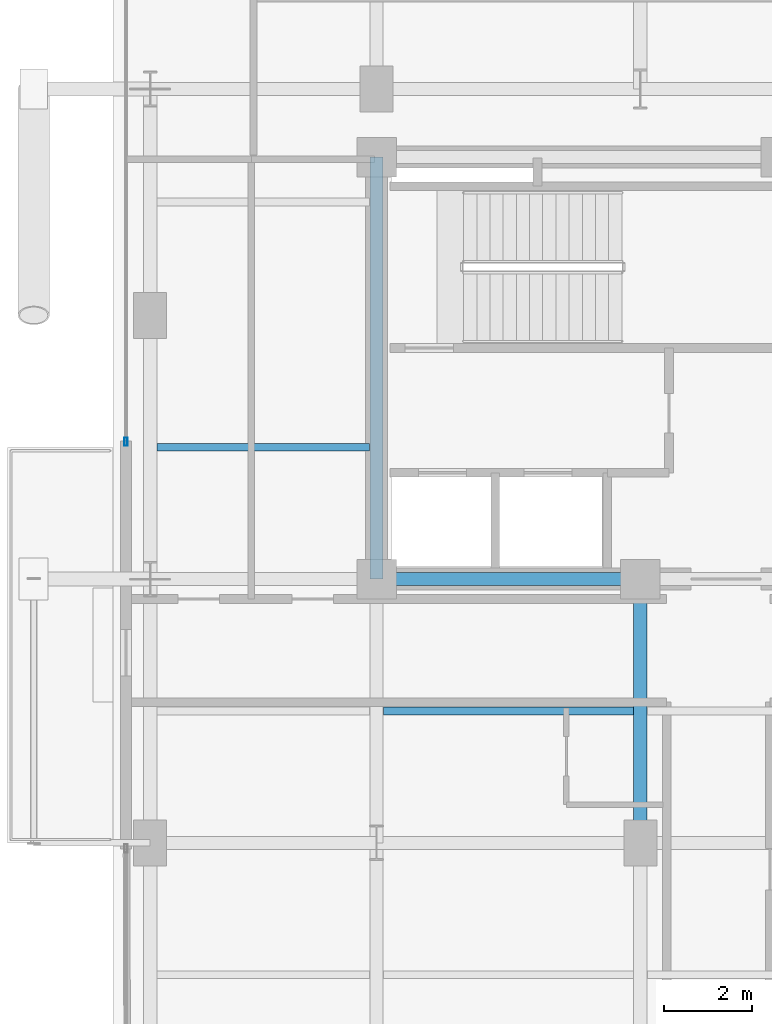
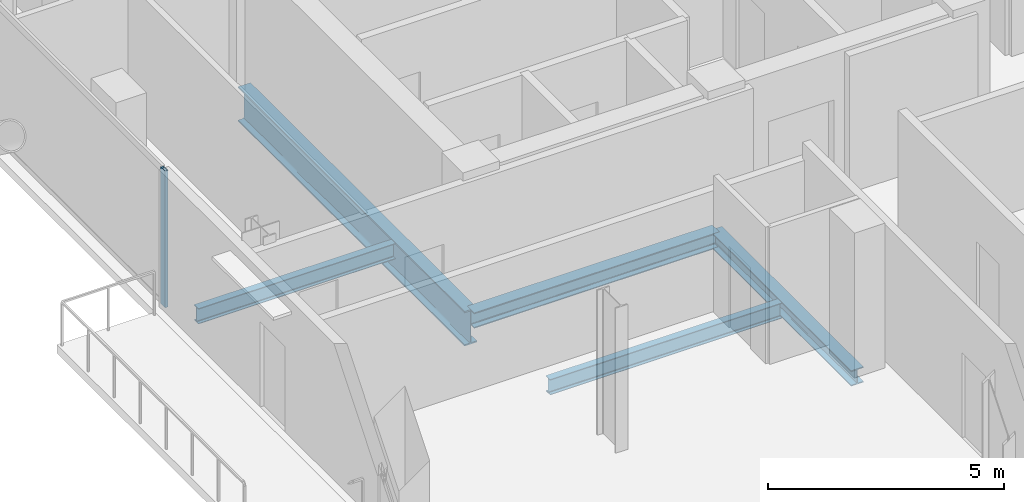
# One storey, part 7 of 21: 5 beams, 1 member, 1 element without a shape of its own.
"""IFC4 building model written with IfcOpenShell, lengths in metres."""

from ifc_helpers import new_model, si_unit, direction, frame, origin, origin_2d, place, context, subcontext, project, spatial, hollow_rectangle, i_section, extrude, material, layer, layer_set, material_profile, profile_set, type_object, element, aggregate, save


model = new_model("IFC4")

# Units and contexts
model_context = context("Model", 3, precision=1e-05, world=origin(), true_north=direction((0.0, 1.0)))
body_context = subcontext(model_context, "Body", "Model", "MODEL_VIEW")
ifc_project = project(units=[si_unit("LENGTHUNIT", "METRE"), si_unit("AREAUNIT", "SQUARE_METRE"), si_unit("VOLUMEUNIT", "CUBIC_METRE"), si_unit("PLANEANGLEUNIT", "RADIAN"), si_unit("MASSUNIT", "GRAM", prefix="KILO"), si_unit("THERMODYNAMICTEMPERATUREUNIT", "KELVIN"), si_unit("POWERUNIT", "WATT")], contexts=[model_context])

# Site, building, storey
site_placement = place(None, origin())
site = spatial("IfcSite", under=ifc_project, at=site_placement, CompositionType="ELEMENT")
building_placement = place(site_placement, origin())
building = spatial("IfcBuilding", under=site, at=building_placement, Name="Svarakhadi Broadcast Tower", CompositionType="ELEMENT")
storey_placement = place(building_placement, frame((0.0, 0.0, 219.89990234375)))
storey = spatial("IfcBuildingStorey", under=building, at=storey_placement, Name="L54", CompositionType="ELEMENT", Elevation=219.89990234375)

# Beams
ifc_material_1 = material(Name="Steel S355J2 (IS 2062 E350C)", Category="steel")
ifc_material_profile_1 = material_profile(ifc_material_1, i_section(OverallWidth=0.179931640625, OverallDepth=0.39990234375, WebThickness=0.008544921875, FlangeThickness=0.013427734375, FilletRadius=0.02099609375, at=origin_2d()), Name="NPB 400x180x66")
ifc_profile_set_1 = profile_set([ifc_material_profile_1], Name="Steel S355J2 (IS 2062 E350C)")
beam_type_1 = type_object("IfcBeamType", Name="Beam_NPB400", PredefinedType="BEAM", material=ifc_profile_set_1)
beam_1_placement = place(storey_placement, frame((1.010009765625, 21.0, -0.409912109375), z_axis=(1.0, 0.0, 0.0), x_axis=(0.0, 1.0, 0.0)))
element("IfcBeam", 1, at=beam_1_placement, inside=storey, type_object=beam_type_1, Name="L54 Secondary Composite Beam SB003", PredefinedType="BEAM", context=body_context, shape_type="SweptSolid", body=[
    extrude(i_section(OverallWidth=0.179931640625, OverallDepth=0.39990234375, WebThickness=0.008544921875, FlangeThickness=0.013427734375, FilletRadius=0.02099609375, at=origin_2d()), origin(), (0.0, 0.0, 1.0), 4.830078125),
])
beam_2_placement = place(storey_placement, frame((6.159912109375, 15.0, -0.409912109375), z_axis=(1.0, 0.0, 0.0), x_axis=(0.0, 1.0, 0.0)))
element("IfcBeam", 2, at=beam_2_placement, inside=storey, type_object=beam_type_1, Name="L54 Secondary Composite Beam SB007", PredefinedType="BEAM", context=body_context, shape_type="SweptSolid", body=[
    extrude(i_section(OverallWidth=0.179931640625, OverallDepth=0.39990234375, WebThickness=0.008544921875, FlangeThickness=0.013427734375, FilletRadius=0.02099609375, at=origin_2d()), origin(), (0.0, 0.0, 1.0), 5.68017578125),
])

# Curtain wall, member
ifc_material_2 = material(Name="Anodised Bronze Aluminium AA 6063-T6", Category="aluminium")
ifc_layer = layer(ifc_material_2, 0.18994140625)
ifc_layer_set = layer_set([ifc_layer], Name="Anodised Bronze Aluminium AA 6063-T6")
curtain_wall_type = type_object("IfcCurtainWallType", Name="CW_Sys_04", PredefinedType="NOTDEFINED", material=ifc_layer_set)
curtain_wall_placement = place(storey_placement, origin())
curtain_wall = element("IfcCurtainWall", 3, at=curtain_wall_placement, inside=storey, type_object=curtain_wall_type, Name="L54 West Curtain Wall 03", PredefinedType="NOTDEFINED")
ifc_material_profile_2 = material_profile(ifc_material_2, hollow_rectangle(XDim=0.070068359375, YDim=0.18994140625, WallThickness=0.005615234375, at=origin_2d()), Name="ALU MULLION 190x70x6")
ifc_profile_set_2 = profile_set([ifc_material_profile_2], Name="Anodised Bronze Aluminium AA 6063-T6")
member_type = type_object("IfcMemberType", Name="CW_Sys_04_Mul", PredefinedType="MULLION", material=ifc_profile_set_2)
member_placement = place(storey_placement, frame((0.300048828125, 21.125, 0.0), z_axis=(0.0, 0.0, 1.0), x_axis=(-1.0, 0.0, 0.0)))
member = element("IfcMember", 4, at=member_placement, type_object=member_type, Name="CW-04 mullion 1", PredefinedType="MULLION", context=body_context, shape_type="SweptSolid", body=[
    extrude(hollow_rectangle(XDim=0.070068359375, YDim=0.18994140625, WallThickness=0.005615234375, at=origin_2d()), origin(), (0.0, 0.0, 1.0), 3.5400390625),
])
aggregate(curtain_wall, [member])

# Beams
ifc_material_profile_3 = material_profile(ifc_material_1, i_section(OverallWidth=0.300048828125, OverallDepth=0.39990234375, WebThickness=0.013427734375, FlangeThickness=0.02392578125, FilletRadius=0.027099609375, at=origin_2d()), Name="WPB 400x300x155")
ifc_profile_set_3 = profile_set([ifc_material_profile_3], Name="Steel S355J2 (IS 2062 E350C)")
beam_type_2 = type_object("IfcBeamType", Name="Girder_WPB400", PredefinedType="USERDEFINED", material=ifc_profile_set_3)
for number, where, z_axis, x_axis, name in (
    (5, (6.0, 18.0, -0.409912109375), (1.0, 0.0, 0.0), (0.0, 1.0, 0.0), "L54 Primary E-W Girder G021"),
    (6, (12.0, 12.0, -0.409912109375), (0.0, 1.0, 0.0), (-1.0, 0.0, 0.0), "L54 Primary N-S Girder G044"),
):
    element("IfcBeam", number, at=place(storey_placement, frame(where, z_axis=z_axis, x_axis=x_axis)), inside=storey, type_object=beam_type_2, Name=name, ObjectType="GIRDER", PredefinedType="USERDEFINED", context=body_context, shape_type="SweptSolid", body=[
        extrude(i_section(OverallWidth=0.300048828125, OverallDepth=0.39990234375, WebThickness=0.013427734375, FlangeThickness=0.02392578125, FilletRadius=0.027099609375, at=origin_2d()), origin(), (0.0, 0.0, 1.0), 6.0),
    ])
ifc_material_3 = material(Name="Steel S460ML (IS 2062 E450BR)", Category="steel")
ifc_material_profile_4 = material_profile(ifc_material_3, i_section(OverallWidth=0.300048828125, OverallDepth=0.89990234375, WebThickness=0.0185546875, FlangeThickness=0.034912109375, FilletRadius=0.030029296875, at=origin_2d()), Name="WPB 900x300x291")
ifc_profile_set_4 = profile_set([ifc_material_profile_4], Name="Steel S460ML (IS 2062 E450BR)")
beam_type_3 = type_object("IfcBeamType", Name="Girder_WPB900", PredefinedType="USERDEFINED", material=ifc_profile_set_4)
beam_3_placement = place(storey_placement, frame((6.0, 18.0, -0.659912109375), z_axis=(0.0, 1.0, 0.0), x_axis=(-1.0, 0.0, 0.0)))
element("IfcBeam", 7, at=beam_3_placement, inside=storey, type_object=beam_type_3, Name="L54 Primary N-S Girder G040", ObjectType="GIRDER", PredefinedType="USERDEFINED", context=body_context, shape_type="SweptSolid", body=[
    extrude(i_section(OverallWidth=0.300048828125, OverallDepth=0.89990234375, WebThickness=0.0185546875, FlangeThickness=0.034912109375, FilletRadius=0.030029296875, at=origin_2d()), origin(), (0.0, 0.0, 1.0), 9.60009765625),
])

save(model, "model.ifc")
